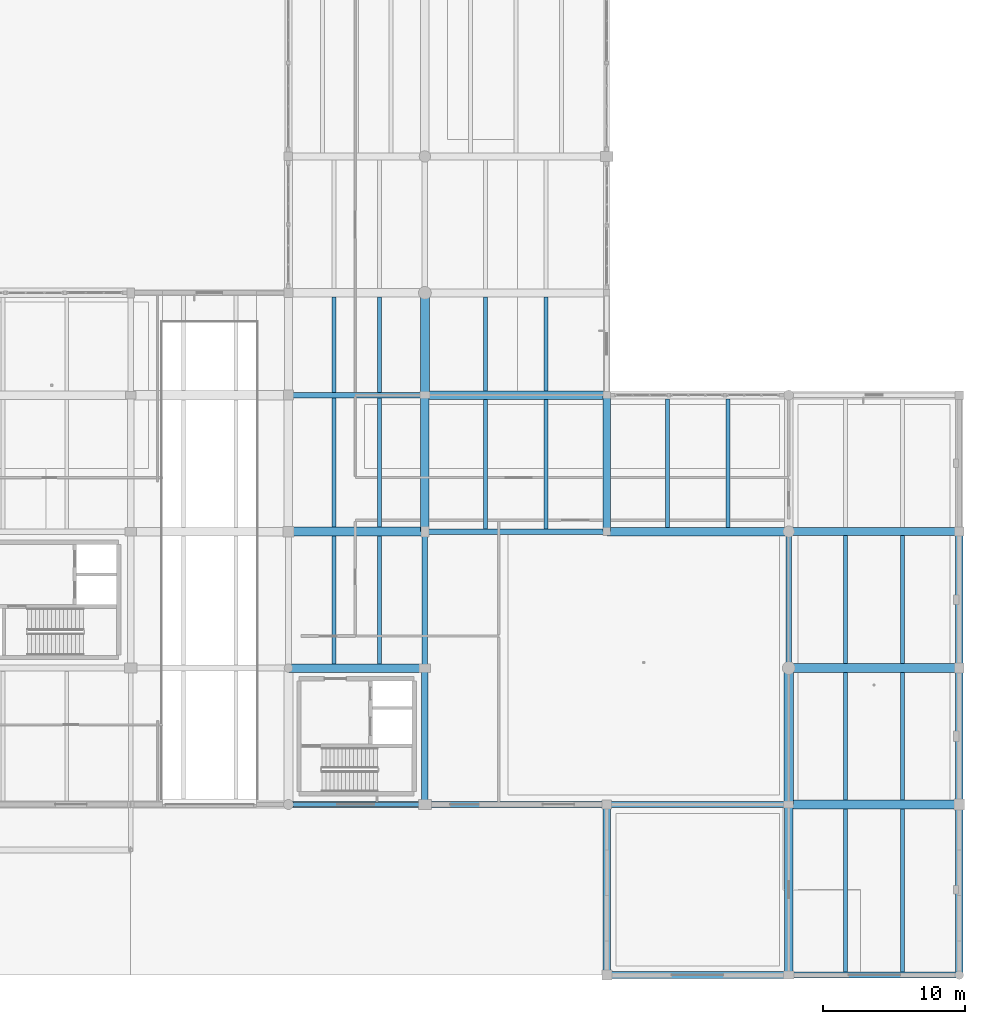
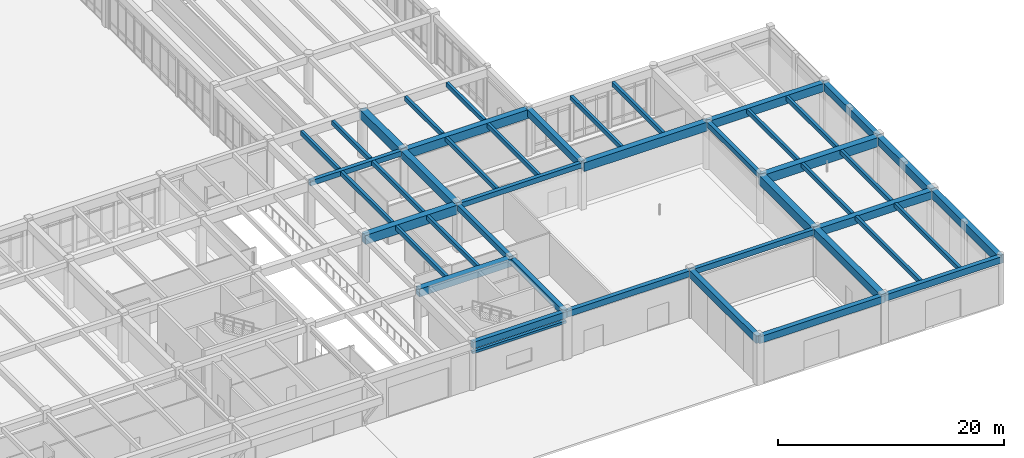
# One storey, part 65 of 138: 45 beams.
"""IFC4 building model written with IfcOpenShell, lengths in metres."""

from ifc_helpers import new_model, si_unit, direction, frame, origin, origin_2d, place, context, subcontext, project, spatial, rectangle, extrude, material, material_profile, profile_set, type_object, element, save


model = new_model("IFC4")

# Units and contexts
model_context = context("Model", 3, precision=1e-05, world=origin(), true_north=direction((0.0, 1.0)))
body_context = subcontext(model_context, "Body", "Model", "MODEL_VIEW")
ifc_project = project(units=[si_unit("LENGTHUNIT", "METRE"), si_unit("AREAUNIT", "SQUARE_METRE"), si_unit("VOLUMEUNIT", "CUBIC_METRE"), si_unit("PLANEANGLEUNIT", "RADIAN"), si_unit("MASSUNIT", "GRAM", prefix="KILO")], contexts=[model_context])

# Site, building, storey
site_placement = place(None, origin())
site = spatial("IfcSite", under=ifc_project, at=site_placement, CompositionType="ELEMENT")
building_placement = place(site_placement, origin())
building = spatial("IfcBuilding", under=site, at=building_placement, Name="Fikremerkos Civic Library", CompositionType="ELEMENT")
storey_placement = place(building_placement, origin())
storey = spatial("IfcBuildingStorey", under=building, at=storey_placement, Name="L00", CompositionType="ELEMENT", Elevation=0.0)

# Beams
ifc_material_1 = material(Name="Concrete C40/50", Category="concrete")
ifc_material_profile_1 = material_profile(ifc_material_1, rectangle(XDim=0.280029296875, YDim=0.47998046875, at=origin_2d()), Name="RC 280x480")
ifc_profile_set_1 = profile_set([ifc_material_profile_1], Name="Concrete C40/50")
beam_type_1 = type_object("IfcBeamType", Name="Floor joist JS-04 RC 280x480", PredefinedType="JOIST", material=ifc_profile_set_1)
for number, where, z_axis, x_axis, name in (
    (1, (128.0, 21.89990234375, 4.860107421875), (0.0, 1.0, 0.0), (-1.0, 0.0, 0.0), "Floor joist JS-04 L00 #356"),
    (2, (131.199951171875, 21.89990234375, 4.860107421875), (0.0, 1.0, 0.0), (-1.0, 0.0, 0.0), "Floor joist JS-04 L00 #357"),
):
    element("IfcBeam", number, at=place(storey_placement, frame(where, z_axis=z_axis, x_axis=x_axis)), inside=storey, type_object=beam_type_1, Name=name, PredefinedType="JOIST", context=body_context, shape_type="SweptSolid", body=[
        extrude(rectangle(XDim=0.280029296875, YDim=0.47998046875, at=origin_2d()), origin(), (0.0, 0.0, 1.0), 8.97509765625),
    ])
for number, where, z_axis, x_axis, name in (
    (3, (128.0, 31.52490234375, 4.860107421875), (0.0, 1.0, 0.0), (-1.0, 0.0, 0.0), "Floor joist JS-04 L00 #358"),
    (4, (131.199951171875, 31.52490234375, 4.860107421875), (0.0, 1.0, 0.0), (-1.0, 0.0, 0.0), "Floor joist JS-04 L00 #359"),
):
    element("IfcBeam", number, at=place(storey_placement, frame(where, z_axis=z_axis, x_axis=x_axis)), inside=storey, type_object=beam_type_1, Name=name, PredefinedType="JOIST", context=body_context, shape_type="SweptSolid", body=[
        extrude(rectangle(XDim=0.280029296875, YDim=0.47998046875, at=origin_2d()), origin(), (0.0, 0.0, 1.0), 9.0751953125),
    ])
for number, where, z_axis, x_axis, name in (
    (5, (128.0, 41.0, 4.919921875), (0.0, 1.0, 0.0), (-1.0, 0.0, 0.0), "Floor joist JS-04 L00 #360"),
    (6, (131.199951171875, 41.0, 4.919921875), (0.0, 1.0, 0.0), (-1.0, 0.0, 0.0), "Floor joist JS-04 L00 #361"),
):
    element("IfcBeam", number, at=place(storey_placement, frame(where, z_axis=z_axis, x_axis=x_axis)), inside=storey, type_object=beam_type_1, Name=name, PredefinedType="JOIST", context=body_context, shape_type="SweptSolid", body=[
        extrude(rectangle(XDim=0.280029296875, YDim=0.47998046875, at=origin_2d()), origin(), (0.0, 0.0, 1.0), 6.699951171875),
    ])
for number, where, z_axis, x_axis, name in (
    (7, (138.666748046875, 31.39990234375, 4.860107421875), (0.0, 1.0, 0.0), (-1.0, 0.0, 0.0), "Floor joist JS-04 L00 #373"),
    (8, (142.933349609375, 31.39990234375, 4.860107421875), (0.0, 1.0, 0.0), (-1.0, 0.0, 0.0), "Floor joist JS-04 L00 #374"),
):
    element("IfcBeam", number, at=place(storey_placement, frame(where, z_axis=z_axis, x_axis=x_axis)), inside=storey, type_object=beam_type_1, Name=name, PredefinedType="JOIST", context=body_context, shape_type="SweptSolid", body=[
        extrude(rectangle(XDim=0.280029296875, YDim=0.47998046875, at=origin_2d()), origin(), (0.0, 0.0, 1.0), 9.10009765625),
    ])
for number, where, z_axis, x_axis, name in (
    (9, (138.666748046875, 41.10009765625, 4.919921875), (0.0, 1.0, 0.0), (-1.0, 0.0, 0.0), "Floor joist JS-04 L00 #375"),
    (10, (142.933349609375, 41.10009765625, 4.919921875), (0.0, 1.0, 0.0), (-1.0, 0.0, 0.0), "Floor joist JS-04 L00 #376"),
):
    element("IfcBeam", number, at=place(storey_placement, frame(where, z_axis=z_axis, x_axis=x_axis)), inside=storey, type_object=beam_type_1, Name=name, PredefinedType="JOIST", context=body_context, shape_type="SweptSolid", body=[
        extrude(rectangle(XDim=0.280029296875, YDim=0.47998046875, at=origin_2d()), origin(), (0.0, 0.0, 1.0), 6.625),
    ])
for number, where, z_axis, x_axis, name in (
    (11, (151.466796875, 31.5, 4.860107421875), (0.0, 1.0, 0.0), (-1.0, 0.0, 0.0), "Floor joist JS-04 L00 #382"),
    (12, (155.7333984375, 31.5, 4.860107421875), (0.0, 1.0, 0.0), (-1.0, 0.0, 0.0), "Floor joist JS-04 L00 #383"),
):
    element("IfcBeam", number, at=place(storey_placement, frame(where, z_axis=z_axis, x_axis=x_axis)), inside=storey, type_object=beam_type_1, Name=name, PredefinedType="JOIST", context=body_context, shape_type="SweptSolid", body=[
        extrude(rectangle(XDim=0.280029296875, YDim=0.47998046875, at=origin_2d()), origin(), (0.0, 0.0, 1.0), 9.02490234375),
    ])
for number, where, z_axis, x_axis, name in (
    (13, (164.0, 0.22509765625, 4.919921875), (0.0, 1.0, 0.0), (-1.0, 0.0, 0.0), "Floor joist JS-04 L00 #384"),
    (14, (168.0, 0.22509765625, 4.919921875), (0.0, 1.0, 0.0), (-1.0, 0.0, 0.0), "Floor joist JS-04 L00 #385"),
):
    element("IfcBeam", number, at=place(storey_placement, frame(where, z_axis=z_axis, x_axis=x_axis)), inside=storey, type_object=beam_type_1, Name=name, PredefinedType="JOIST", context=body_context, shape_type="SweptSolid", body=[
        extrude(rectangle(XDim=0.280029296875, YDim=0.47998046875, at=origin_2d()), origin(), (0.0, 0.0, 1.0), 11.474853515625),
    ])
for number, where, z_axis, x_axis, name in (
    (15, (164.0, 12.300048828125, 4.860107421875), (0.0, 1.0, 0.0), (-1.0, 0.0, 0.0), "Floor joist JS-04 L00 #386"),
    (16, (168.0, 12.300048828125, 4.860107421875), (0.0, 1.0, 0.0), (-1.0, 0.0, 0.0), "Floor joist JS-04 L00 #387"),
):
    element("IfcBeam", number, at=place(storey_placement, frame(where, z_axis=z_axis, x_axis=x_axis)), inside=storey, type_object=beam_type_1, Name=name, PredefinedType="JOIST", context=body_context, shape_type="SweptSolid", body=[
        extrude(rectangle(XDim=0.280029296875, YDim=0.47998046875, at=origin_2d()), origin(), (0.0, 0.0, 1.0), 8.974853515625),
    ])
for number, where, z_axis, x_axis, name in (
    (17, (164.0, 21.925048828125, 4.860107421875), (0.0, 1.0, 0.0), (-1.0, 0.0, 0.0), "Floor joist JS-04 L00 #388"),
    (18, (168.0, 21.925048828125, 4.860107421875), (0.0, 1.0, 0.0), (-1.0, 0.0, 0.0), "Floor joist JS-04 L00 #389"),
):
    element("IfcBeam", number, at=place(storey_placement, frame(where, z_axis=z_axis, x_axis=x_axis)), inside=storey, type_object=beam_type_1, Name=name, PredefinedType="JOIST", context=body_context, shape_type="SweptSolid", body=[
        extrude(rectangle(XDim=0.280029296875, YDim=0.47998046875, at=origin_2d()), origin(), (0.0, 0.0, 1.0), 9.0),
    ])
ifc_material_profile_2 = material_profile(ifc_material_1, rectangle(XDim=0.300048828125, YDim=0.260009765625, at=origin_2d()), Name="RC 300x260")
ifc_profile_set_2 = profile_set([ifc_material_profile_2], Name="Concrete C40/50")
beam_type_2 = type_object("IfcBeamType", Name="Opening lintel LNT-02 RC 300x260", PredefinedType="LINTEL", material=ifc_profile_set_2)
beam_1_placement = place(storey_placement, frame((134.39990234375, 12.0, 3.93994140625), z_axis=(-1.0, 0.0, 0.0), x_axis=(0.0, -1.0, 0.0)))
element("IfcBeam", 19, at=beam_1_placement, inside=storey, type_object=beam_type_2, Name="Courtyard window head lintel LNT-02 L00 #12", PredefinedType="LINTEL", context=body_context, shape_type="SweptSolid", body=[
    extrude(rectangle(XDim=0.300048828125, YDim=0.260009765625, at=origin_2d()), origin(), (0.0, 0.0, 1.0), 9.599853515625),
])
ifc_material_profile_3 = material_profile(ifc_material_1, rectangle(XDim=0.60009765625, YDim=0.949951171875, at=origin_2d()), Name="RC 600x950")
ifc_profile_set_3 = profile_set([ifc_material_profile_3], Name="Concrete C40/50")
beam_type_3 = type_object("IfcBeamType", Name="Primary girder BM-01 RC 600x950", PredefinedType="BEAM", material=ifc_profile_set_3)
for number, where, z_axis, x_axis, name in (
    (20, (147.199951171875, 31.199951171875, 4.625), (1.0, 0.0, 0.0), (0.0, 1.0, 0.0), "Primary girder BM-01 L00 grid G"),
    (21, (134.39990234375, 40.800048828125, 4.625), (1.0, 0.0, 0.0), (0.0, 1.0, 0.0), "Primary girder BM-01 L00 grid H"),
):
    element("IfcBeam", number, at=place(storey_placement, frame(where, z_axis=z_axis, x_axis=x_axis)), inside=storey, type_object=beam_type_3, Name=name, PredefinedType="BEAM", context=body_context, shape_type="SweptSolid", body=[
        extrude(rectangle(XDim=0.60009765625, YDim=0.949951171875, at=origin_2d()), origin(), (0.0, 0.0, 1.0), 12.800048828125),
    ])
ifc_material_profile_4 = material_profile(ifc_material_1, rectangle(XDim=0.550048828125, YDim=0.89990234375, at=origin_2d()), Name="RC 550x900")
ifc_profile_set_4 = profile_set([ifc_material_profile_4], Name="Concrete C40/50")
beam_type_4 = type_object("IfcBeamType", Name="Primary girder BM-02 RC 550x900", PredefinedType="BEAM", material=ifc_profile_set_4)
for number, where, z_axis, x_axis, name in (
    (22, (160.0, 31.199951171875, 4.64990234375), (1.0, 0.0, 0.0), (0.0, 1.0, 0.0), "Primary girder BM-02 L00 grid G"),
    (23, (172.0, 0.0, 4.7099609375), (0.0, 1.0, 0.0), (-1.0, 0.0, 0.0), "Primary girder BM-02 L00 grid 15"),
):
    element("IfcBeam", number, at=place(storey_placement, frame(where, z_axis=z_axis, x_axis=x_axis)), inside=storey, type_object=beam_type_4, Name=name, PredefinedType="BEAM", context=body_context, shape_type="SweptSolid", body=[
        extrude(rectangle(XDim=0.550048828125, YDim=0.89990234375, at=origin_2d()), origin(), (0.0, 0.0, 1.0), 12.0),
    ])
ifc_material_profile_5 = material_profile(ifc_material_1, rectangle(XDim=0.550048828125, YDim=0.85009765625, at=origin_2d()), Name="RC 550x850")
ifc_profile_set_5 = profile_set([ifc_material_profile_5], Name="Concrete C40/50")
beam_type_5 = type_object("IfcBeamType", Name="Primary girder BM-03 RC 550x850", PredefinedType="BEAM", material=ifc_profile_set_5)
beam_2_placement = place(storey_placement, frame((172.0, 12.0, 4.675048828125), z_axis=(0.0, 1.0, 0.0), x_axis=(-1.0, 0.0, 0.0)))
element("IfcBeam", 24, at=beam_2_placement, inside=storey, type_object=beam_type_5, Name="Primary girder BM-03 L00 grid 15", PredefinedType="BEAM", context=body_context, shape_type="SweptSolid", body=[
    extrude(rectangle(XDim=0.550048828125, YDim=0.85009765625, at=origin_2d()), origin(), (0.0, 0.0, 1.0), 9.60009765625),
])
ifc_material_profile_6 = material_profile(ifc_material_1, rectangle(XDim=0.5, YDim=0.800048828125, at=origin_2d()), Name="RC 500x800")
ifc_profile_set_6 = profile_set([ifc_material_profile_6], Name="Concrete C40/50")
beam_type_6 = type_object("IfcBeamType", Name="Primary girder BM-04 RC 500x800", PredefinedType="BEAM", material=ifc_profile_set_6)
beam_3_placement = place(storey_placement, frame((147.199951171875, 0.0, 4.760009765625), z_axis=(0.0, 1.0, 0.0), x_axis=(-1.0, 0.0, 0.0)))
element("IfcBeam", 25, at=beam_3_placement, inside=storey, type_object=beam_type_6, Name="Primary girder BM-04 L00 grid 13", PredefinedType="BEAM", context=body_context, shape_type="SweptSolid", body=[
    extrude(rectangle(XDim=0.5, YDim=0.800048828125, at=origin_2d()), origin(), (0.0, 0.0, 1.0), 12.0),
])
beam_4_placement = place(storey_placement, frame((172.0, 21.60009765625, 4.699951171875), z_axis=(0.0, 1.0, 0.0), x_axis=(-1.0, 0.0, 0.0)))
element("IfcBeam", 26, at=beam_4_placement, inside=storey, type_object=beam_type_6, Name="Primary girder BM-04 L00 grid 15", PredefinedType="BEAM", context=body_context, shape_type="SweptSolid", body=[
    extrude(rectangle(XDim=0.5, YDim=0.800048828125, at=origin_2d()), origin(), (0.0, 0.0, 1.0), 9.599853515625),
])
ifc_material_profile_7 = material_profile(ifc_material_1, rectangle(XDim=0.5, YDim=0.75, at=origin_2d()), Name="RC 500x750")
ifc_profile_set_7 = profile_set([ifc_material_profile_7], Name="Concrete C40/50")
beam_type_7 = type_object("IfcBeamType", Name="Primary girder BM-05 RC 500x750", PredefinedType="BEAM", material=ifc_profile_set_7)
beam_5_placement = place(storey_placement, frame((147.199951171875, 0.0, 4.784912109375), z_axis=(1.0, 0.0, 0.0), x_axis=(0.0, 1.0, 0.0)))
element("IfcBeam", 27, at=beam_5_placement, inside=storey, type_object=beam_type_7, Name="Primary girder BM-05 L00 grid A", PredefinedType="BEAM", context=body_context, shape_type="SweptSolid", body=[
    extrude(rectangle(XDim=0.5, YDim=0.75, at=origin_2d()), origin(), (0.0, 0.0, 1.0), 12.800048828125),
])
beam_6_placement = place(storey_placement, frame((147.199951171875, 31.199951171875, 4.72509765625), z_axis=(0.0, 1.0, 0.0), x_axis=(-1.0, 0.0, 0.0)))
element("IfcBeam", 28, at=beam_6_placement, inside=storey, type_object=beam_type_7, Name="Primary girder BM-05 L00 grid 13", PredefinedType="BEAM", context=body_context, shape_type="SweptSolid", body=[
    extrude(rectangle(XDim=0.5, YDim=0.75, at=origin_2d()), origin(), (0.0, 0.0, 1.0), 9.60009765625),
])
ifc_material_profile_8 = material_profile(ifc_material_1, rectangle(XDim=0.449951171875, YDim=0.699951171875, at=origin_2d()), Name="RC 450x700")
ifc_profile_set_8 = profile_set([ifc_material_profile_8], Name="Concrete C40/50")
beam_type_8 = type_object("IfcBeamType", Name="Primary girder BM-06 RC 450x700", PredefinedType="BEAM", material=ifc_profile_set_8)
beam_7_placement = place(storey_placement, frame((160.0, 0.0, 4.81005859375), z_axis=(1.0, 0.0, 0.0), x_axis=(0.0, 1.0, 0.0)))
element("IfcBeam", 29, at=beam_7_placement, inside=storey, type_object=beam_type_8, Name="Primary girder BM-06 L00 grid A", PredefinedType="BEAM", context=body_context, shape_type="SweptSolid", body=[
    extrude(rectangle(XDim=0.449951171875, YDim=0.699951171875, at=origin_2d()), origin(), (0.0, 0.0, 1.0), 12.0),
])
beam_8_placement = place(storey_placement, frame((124.800048828125, 12.0, 4.75), z_axis=(1.0, 0.0, 0.0), x_axis=(0.0, 1.0, 0.0)))
element("IfcBeam", 30, at=beam_8_placement, inside=storey, type_object=beam_type_8, Name="Primary girder BM-06 L00 grid E", PredefinedType="BEAM", context=body_context, shape_type="SweptSolid", body=[
    extrude(rectangle(XDim=0.449951171875, YDim=0.699951171875, at=origin_2d()), origin(), (0.0, 0.0, 1.0), 9.599853515625),
])
ifc_material_profile_9 = material_profile(ifc_material_1, rectangle(XDim=0.449951171875, YDim=0.64990234375, at=origin_2d()), Name="RC 450x650")
ifc_profile_set_9 = profile_set([ifc_material_profile_9], Name="Concrete C40/50")
beam_type_9 = type_object("IfcBeamType", Name="Primary girder BM-07 RC 450x650", PredefinedType="BEAM", material=ifc_profile_set_9)
beam_9_placement = place(storey_placement, frame((134.39990234375, 12.0, 4.77490234375), z_axis=(1.0, 0.0, 0.0), x_axis=(0.0, 1.0, 0.0)))
element("IfcBeam", 31, at=beam_9_placement, inside=storey, type_object=beam_type_9, Name="Primary girder BM-07 L00 grid E", PredefinedType="BEAM", context=body_context, shape_type="SweptSolid", body=[
    extrude(rectangle(XDim=0.449951171875, YDim=0.64990234375, at=origin_2d()), origin(), (0.0, 0.0, 1.0), 12.800048828125),
])
beam_10_placement = place(storey_placement, frame((134.39990234375, 12.0, 4.77490234375), z_axis=(0.0, 1.0, 0.0), x_axis=(-1.0, 0.0, 0.0)))
element("IfcBeam", 32, at=beam_10_placement, inside=storey, type_object=beam_type_9, Name="Primary girder BM-07 L00 grid 12", PredefinedType="BEAM", context=body_context, shape_type="SweptSolid", body=[
    extrude(rectangle(XDim=0.449951171875, YDim=0.64990234375, at=origin_2d()), origin(), (0.0, 0.0, 1.0), 9.60009765625),
])
ifc_material_profile_10 = material_profile(ifc_material_1, rectangle(XDim=0.39990234375, YDim=0.60009765625, at=origin_2d()), Name="RC 400x600")
ifc_profile_set_10 = profile_set([ifc_material_profile_10], Name="Concrete C40/50")
beam_type_10 = type_object("IfcBeamType", Name="Primary girder BM-08 RC 400x600", PredefinedType="BEAM", material=ifc_profile_set_10)
beam_11_placement = place(storey_placement, frame((147.199951171875, 12.0, 4.800048828125), z_axis=(1.0, 0.0, 0.0), x_axis=(0.0, 1.0, 0.0)))
element("IfcBeam", 33, at=beam_11_placement, inside=storey, type_object=beam_type_10, Name="Primary girder BM-08 L00 grid E", PredefinedType="BEAM", context=body_context, shape_type="SweptSolid", body=[
    extrude(rectangle(XDim=0.39990234375, YDim=0.60009765625, at=origin_2d()), origin(), (0.0, 0.0, 1.0), 12.800048828125),
])
beam_12_placement = place(storey_placement, frame((134.39990234375, 21.60009765625, 4.800048828125), z_axis=(0.0, 1.0, 0.0), x_axis=(-1.0, 0.0, 0.0)))
element("IfcBeam", 34, at=beam_12_placement, inside=storey, type_object=beam_type_10, Name="Primary girder BM-08 L00 grid 12", PredefinedType="BEAM", context=body_context, shape_type="SweptSolid", body=[
    extrude(rectangle(XDim=0.39990234375, YDim=0.60009765625, at=origin_2d()), origin(), (0.0, 0.0, 1.0), 9.599853515625),
])
ifc_material_profile_11 = material_profile(ifc_material_1, rectangle(XDim=0.60009765625, YDim=0.85009765625, at=origin_2d()), Name="RC 600x850")
ifc_profile_set_11 = profile_set([ifc_material_profile_11], Name="Concrete C40/50")
beam_type_11 = type_object("IfcBeamType", Name="Primary girder BM-24 RC 600x850", PredefinedType="BEAM", material=ifc_profile_set_11)
beam_13_placement = place(storey_placement, frame((160.0, 12.0, 4.675048828125), z_axis=(1.0, 0.0, 0.0), x_axis=(0.0, 1.0, 0.0)))
element("IfcBeam", 35, at=beam_13_placement, inside=storey, type_object=beam_type_11, Name="Primary girder BM-24 L00 grid E", PredefinedType="BEAM", context=body_context, shape_type="SweptSolid", body=[
    extrude(rectangle(XDim=0.60009765625, YDim=0.85009765625, at=origin_2d()), origin(), (0.0, 0.0, 1.0), 12.0),
])
beam_14_placement = place(storey_placement, frame((124.800048828125, 21.60009765625, 4.675048828125), z_axis=(1.0, 0.0, 0.0), x_axis=(0.0, 1.0, 0.0)))
element("IfcBeam", 36, at=beam_14_placement, inside=storey, type_object=beam_type_11, Name="Primary girder BM-24 L00 grid F", PredefinedType="BEAM", context=body_context, shape_type="SweptSolid", body=[
    extrude(rectangle(XDim=0.60009765625, YDim=0.85009765625, at=origin_2d()), origin(), (0.0, 0.0, 1.0), 9.599853515625),
])
beam_15_placement = place(storey_placement, frame((134.39990234375, 31.199951171875, 4.675048828125), z_axis=(0.0, 1.0, 0.0), x_axis=(-1.0, 0.0, 0.0)))
element("IfcBeam", 37, at=beam_15_placement, inside=storey, type_object=beam_type_11, Name="Primary girder BM-24 L00 grid 12", PredefinedType="BEAM", context=body_context, shape_type="SweptSolid", body=[
    extrude(rectangle(XDim=0.60009765625, YDim=0.85009765625, at=origin_2d()), origin(), (0.0, 0.0, 1.0), 9.60009765625),
])
beam_16_placement = place(storey_placement, frame((160.0, 0.0, 4.735107421875), z_axis=(0.0, 1.0, 0.0), x_axis=(-1.0, 0.0, 0.0)))
element("IfcBeam", 38, at=beam_16_placement, inside=storey, type_object=beam_type_11, Name="Primary girder BM-24 L00 grid 14", PredefinedType="BEAM", context=body_context, shape_type="SweptSolid", body=[
    extrude(rectangle(XDim=0.60009765625, YDim=0.85009765625, at=origin_2d()), origin(), (0.0, 0.0, 1.0), 12.0),
])
ifc_material_2 = material(Name="Concrete C45/55", Category="concrete")
ifc_material_profile_12 = material_profile(ifc_material_2, rectangle(XDim=0.64990234375, YDim=1.0, at=origin_2d()), Name="RC 650x1000")
ifc_profile_set_12 = profile_set([ifc_material_profile_12], Name="Concrete C45/55")
beam_type_12 = type_object("IfcBeamType", Name="Primary girder BM-25 RC 650x1000", PredefinedType="BEAM", material=ifc_profile_set_12)
beam_17_placement = place(storey_placement, frame((160.0, 21.60009765625, 4.60009765625), z_axis=(1.0, 0.0, 0.0), x_axis=(0.0, 1.0, 0.0)))
element("IfcBeam", 39, at=beam_17_placement, inside=storey, type_object=beam_type_12, Name="Primary girder BM-25 L00 grid F", PredefinedType="BEAM", context=body_context, shape_type="SweptSolid", body=[
    extrude(rectangle(XDim=0.64990234375, YDim=1.0, at=origin_2d()), origin(), (0.0, 0.0, 1.0), 12.0),
])
beam_18_placement = place(storey_placement, frame((124.800048828125, 31.199951171875, 4.60009765625), z_axis=(1.0, 0.0, 0.0), x_axis=(0.0, 1.0, 0.0)))
element("IfcBeam", 40, at=beam_18_placement, inside=storey, type_object=beam_type_12, Name="Primary girder BM-25 L00 grid G", PredefinedType="BEAM", context=body_context, shape_type="SweptSolid", body=[
    extrude(rectangle(XDim=0.64990234375, YDim=1.0, at=origin_2d()), origin(), (0.0, 0.0, 1.0), 9.599853515625),
])
beam_19_placement = place(storey_placement, frame((134.39990234375, 40.800048828125, 4.659912109375), z_axis=(0.0, 1.0, 0.0), x_axis=(-1.0, 0.0, 0.0)))
element("IfcBeam", 41, at=beam_19_placement, inside=storey, type_object=beam_type_12, Name="Primary girder BM-25 L00 grid 12", PredefinedType="BEAM", context=body_context, shape_type="SweptSolid", body=[
    extrude(rectangle(XDim=0.64990234375, YDim=1.0, at=origin_2d()), origin(), (0.0, 0.0, 1.0), 7.199951171875),
])
beam_20_placement = place(storey_placement, frame((160.0, 12.0, 4.60009765625), z_axis=(0.0, 1.0, 0.0), x_axis=(-1.0, 0.0, 0.0)))
element("IfcBeam", 42, at=beam_20_placement, inside=storey, type_object=beam_type_12, Name="Primary girder BM-25 L00 grid 14", PredefinedType="BEAM", context=body_context, shape_type="SweptSolid", body=[
    extrude(rectangle(XDim=0.64990234375, YDim=1.0, at=origin_2d()), origin(), (0.0, 0.0, 1.0), 9.60009765625),
])
ifc_material_profile_13 = material_profile(ifc_material_1, rectangle(XDim=0.39990234375, YDim=0.550048828125, at=origin_2d()), Name="RC 400x550")
ifc_profile_set_13 = profile_set([ifc_material_profile_13], Name="Concrete C40/50")
beam_type_13 = type_object("IfcBeamType", Name="Primary girder BM-26 RC 400x550", PredefinedType="BEAM", material=ifc_profile_set_13)
beam_21_placement = place(storey_placement, frame((134.39990234375, 31.199951171875, 4.824951171875), z_axis=(1.0, 0.0, 0.0), x_axis=(0.0, 1.0, 0.0)))
element("IfcBeam", 43, at=beam_21_placement, inside=storey, type_object=beam_type_13, Name="Primary girder BM-26 L00 grid G", PredefinedType="BEAM", context=body_context, shape_type="SweptSolid", body=[
    extrude(rectangle(XDim=0.39990234375, YDim=0.550048828125, at=origin_2d()), origin(), (0.0, 0.0, 1.0), 12.800048828125),
])
for number, where, z_axis, x_axis, name in (
    (44, (124.800048828125, 40.800048828125, 4.824951171875), (1.0, 0.0, 0.0), (0.0, 1.0, 0.0), "Primary girder BM-26 L00 grid H"),
    (45, (160.0, 21.60009765625, 4.824951171875), (0.0, 1.0, 0.0), (-1.0, 0.0, 0.0), "Primary girder BM-26 L00 grid 14"),
):
    element("IfcBeam", number, at=place(storey_placement, frame(where, z_axis=z_axis, x_axis=x_axis)), inside=storey, type_object=beam_type_13, Name=name, PredefinedType="BEAM", context=body_context, shape_type="SweptSolid", body=[
        extrude(rectangle(XDim=0.39990234375, YDim=0.550048828125, at=origin_2d()), origin(), (0.0, 0.0, 1.0), 9.599853515625),
    ])

save(model, "model.ifc")
